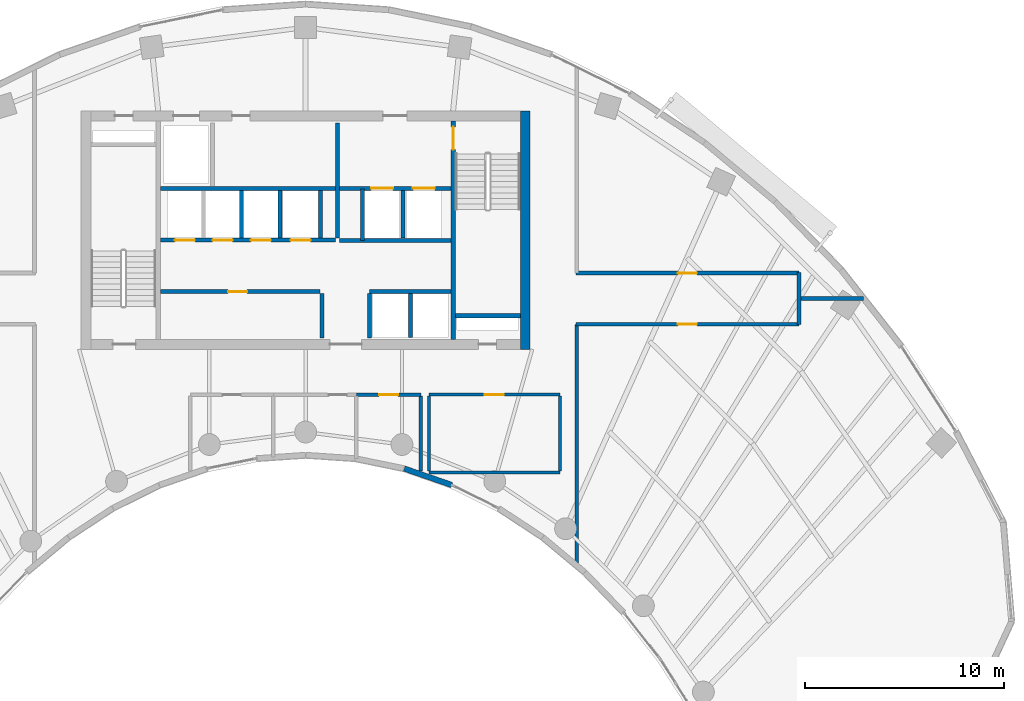
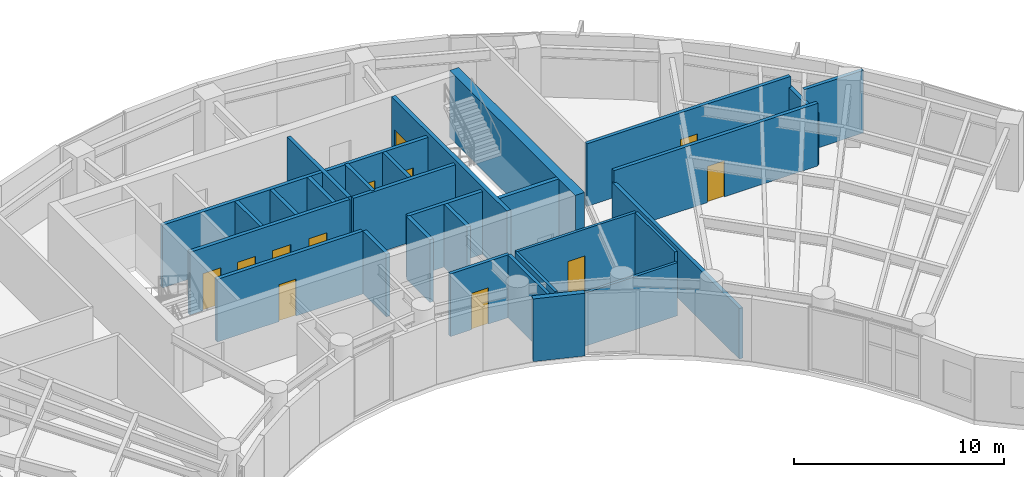
# One storey, part 9 of 13: 30 walls, 12 doors, 12 openings.
"""IFC4 building model written with IfcOpenShell, lengths in metres."""

from ifc_helpers import new_model, si_unit, direction, frame, frame_2d, origin, place, context, subcontext, project, spatial, rectangle, extrude, source, transform, mapped, material, layer, layer_set, type_object, type_shapes, element, fill, save


model = new_model("IFC4")

# Units and contexts
model_context = context("Model", 3, precision=1e-05, world=origin(), true_north=direction((0.0, 1.0)))
body_context = subcontext(model_context, "Body", "Model", "MODEL_VIEW")
ifc_project = project(units=[si_unit("LENGTHUNIT", "METRE"), si_unit("AREAUNIT", "SQUARE_METRE"), si_unit("VOLUMEUNIT", "CUBIC_METRE"), si_unit("PLANEANGLEUNIT", "RADIAN"), si_unit("MASSUNIT", "GRAM", prefix="KILO")], contexts=[model_context])

# Site, building, storey
site_placement = place(None, origin())
site = spatial("IfcSite", under=ifc_project, at=site_placement, CompositionType="ELEMENT")
building_placement = place(site_placement, origin())
building = spatial("IfcBuilding", under=site, at=building_placement, Name="Breltana Convention Tower", CompositionType="ELEMENT")
storey_placement = place(building_placement, frame((0.0, 0.0, 162.300048828125)))
storey = spatial("IfcBuildingStorey", under=building, at=storey_placement, Name="L39", CompositionType="ELEMENT", Elevation=162.300048828125)

# Walls
ifc_material_1 = material(Name="Concrete C60/75", Category="concrete")
ifc_layer_1 = layer(ifc_material_1, 0.5, Name="Concrete C60/75")
ifc_layer_set_1 = layer_set([ifc_layer_1], Name="Concrete C60/75")
wall_type_1 = type_object("IfcWallType", Name="SW-CORE-500", PredefinedType="SHEAR", material=ifc_layer_set_1)
shared_shape_1 = source(origin(), body_context, "Body", "SweptSolid", [
    extrude(rectangle(XDim=12.0, YDim=0.5, at=frame_2d((6.0, 0.0))), origin(), (0.0, 0.0, 1.0), 3.89990234375),
])
wall_1_placement = place(storey_placement, frame((59.050048828125, 60.199951171875, 0.0), z_axis=(0.0, 0.0, 1.0), x_axis=(0.0, 1.0, 0.0)))
element("IfcWall", 1, at=wall_1_placement, inside=storey, type_object=wall_type_1, Name="L39 East Core Shear Wall", PredefinedType="SHEAR", context=body_context, shape_type="MappedRepresentation", body=[
    mapped(shared_shape_1, transform((0.0, 0.0, 0.0), scale=1.0)),
])
ifc_material_2 = material(Name="Concrete C50/60", Category="concrete")
ifc_layer_2 = layer(ifc_material_2, 0.39990234375, Name="Concrete C50/60")
ifc_layer_set_2 = layer_set([ifc_layer_2], Name="Concrete C50/60")
wall_type_2 = type_object("IfcWallType", Name="SW-CORE-400", PredefinedType="SHEAR", material=ifc_layer_set_2)
shared_shape_2 = source(origin(), body_context, "Body", "SweptSolid", [
    extrude(rectangle(XDim=3.27001953125, YDim=0.219970703125, at=frame_2d((1.635009765625, 0.0))), origin(), (0.0, 0.0, 1.0), 3.89990234375),
])
wall_2_placement = place(storey_placement, frame((55.530029296875, 61.889892578125, 0.0), z_axis=(0.0, 0.0, 1.0), x_axis=(1.0, 0.0, 0.0)))
element("IfcWall", 2, at=wall_2_placement, inside=storey, type_object=wall_type_2, Name="L39 ST-2 Stairwell South Bearing Wall", PredefinedType="SHEAR", context=body_context, shape_type="MappedRepresentation", body=[
    mapped(shared_shape_2, transform((0.0, 0.0, 0.0), scale=1.0)),
])

# Wall, opening, door
shared_shape_3 = source(origin(), body_context, "Body", "SweptSolid", [
    extrude(rectangle(XDim=11.0, YDim=0.219970703125, at=frame_2d((5.5, 0.0))), origin(), (0.0, 0.0, 1.0), 3.89990234375),
])
wall_3_placement = place(storey_placement, frame((55.419921875, 60.699951171875, 0.0), z_axis=(0.0, 0.0, 1.0), x_axis=(0.0, 1.0, 0.0)))
wall_3 = element("IfcWall", 3, at=wall_3_placement, inside=storey, type_object=wall_type_2, Name="L39 Core East Stair Spine Wall", PredefinedType="SHEAR", context=body_context, shape_type="MappedRepresentation", body=[
    mapped(shared_shape_3, transform((0.0, 0.0, 0.0), scale=1.0)),
])
opening_1_placement = place(wall_3_placement, frame((9.544921875, 0.0, 0.0)))
opening_1 = element("IfcOpeningElement", 4, at=opening_1_placement, cuts=wall_3, Name="Opening D-11", PredefinedType="OPENING", context=body_context, shape_type="SweptSolid", body=[
    extrude(rectangle(XDim=1.14990234375, YDim=2.14990234375, at=frame_2d((0.574951171875, 1.074951171875))), frame((0.0, 0.1201171875, 0.0), z_axis=(0.0, -1.0, 0.0), x_axis=(1.0, 0.0, 0.0)), (0.0, 0.0, 1.0), 0.239990234375),
])
ifc_material_3 = material(Name="Steel Stair Exit Door", Category="steel")
door_type_1 = type_object("IfcDoorType", Name="DR-FD120-1150", OperationType="NOTDEFINED", PredefinedType="DOOR", material=ifc_material_3)
shared_shape_4 = source(origin(), body_context, "Body", "SweptSolid", [
    extrude(rectangle(XDim=1.14990234375, YDim=2.14990234375, at=frame_2d((0.574951171875, 1.074951171875))), frame((0.0, 0.02490234375, 0.0), z_axis=(0.0, -1.0, 0.0), x_axis=(1.0, 0.0, 0.0)), (0.0, 0.0, 1.0), 0.050048828125),
])
type_shapes(door_type_1, [shared_shape_4])
door_1_placement = place(opening_1_placement, origin())
door_1 = element("IfcDoor", 5, at=door_1_placement, inside=storey, type_object=door_type_1, Name="L39 interior door D-L39-ST2", OperationType="SINGLE_SWING_LEFT", OverallHeight=2.14990234375, OverallWidth=1.14990234375, PredefinedType="DOOR", context=body_context, shape_type="MappedRepresentation", body=[
    mapped(shared_shape_4, transform((0.0, 0.0, 0.0), scale=1.0)),
])
fill(opening_1, door_1)

# Walls
ifc_material_4 = material(Name="Limestone Buff Insulated Wall", Category="masonry")
ifc_layer_3 = layer(ifc_material_4, 0.280029296875, Name="Limestone Buff Insulated Wall")
ifc_layer_set_3 = layer_set([ifc_layer_3], Name="Limestone Buff Insulated Wall")
wall_type_3 = type_object("IfcWallType", Name="WL-EXT-NOSE-280", PredefinedType="SOLIDWALL", material=ifc_layer_set_3)
shared_shape_5 = source(origin(), body_context, "Body", "SweptSolid", [
    extrude(rectangle(XDim=2.52978515625, YDim=0.280029296875, at=frame_2d((1.264892578125, 0.0))), origin(), (0.0, 0.0, 1.0), 3.64990234375),
])
wall_4_placement = place(storey_placement, frame((55.35546875, 53.369873046875, 0.0), z_axis=(0.0, 0.0, 1.0), x_axis=(-0.944872429646, 0.327438683872, 0.0)))
element("IfcWall", 6, at=wall_4_placement, inside=storey, type_object=wall_type_3, Name="L39 curved limestone nose wall E10", PredefinedType="SOLIDWALL", context=body_context, shape_type="MappedRepresentation", body=[
    mapped(shared_shape_5, transform((0.0, 0.0, 0.0), scale=1.0)),
])
ifc_material_5 = material(Name="Autoclaved Aerated Concrete Block", Category="concrete")
ifc_layer_4 = layer(ifc_material_5, 0.199951171875, Name="Autoclaved Aerated Concrete Block")
ifc_layer_set_4 = layer_set([ifc_layer_4], Name="Autoclaved Aerated Concrete Block")
wall_type_4 = type_object("IfcWallType", Name="WL-SHAFT-200", PredefinedType="SOLIDWALL", material=ifc_layer_set_4)
shared_shape_6 = source(origin(), body_context, "Body", "SweptSolid", [
    extrude(rectangle(XDim=2.239990234375, YDim=0.199951171875, at=frame_2d((1.1201171875, 0.0))), origin(), (0.0, 0.0, 1.0), 3.64990234375),
])
for number, where, z_axis, x_axis, name in (
    (7, (48.820068359375, 60.780029296875, 0.0), (0.0, 0.0, 1.0), (0.0, 1.0, 0.0), "L39 interior partition W-L39-PORT-W"),
    (8, (51.219970703125, 60.780029296875, 0.0), (0.0, 0.0, 1.0), (0.0, 1.0, 0.0), "L39 interior partition W-L39-PORT-E"),
):
    element("IfcWall", number, at=place(storey_placement, frame(where, z_axis=z_axis, x_axis=x_axis)), inside=storey, type_object=wall_type_4, Name=name, PredefinedType="SOLIDWALL", context=body_context, shape_type="MappedRepresentation", body=[
        mapped(shared_shape_6, transform((0.0, 0.0, 0.0), scale=1.0)),
    ])

# Wall, openings, doors
shared_shape_7 = source(origin(), body_context, "Body", "SweptSolid", [
    extrude(rectangle(XDim=5.6201171875, YDim=0.199951171875, at=frame_2d((2.81005859375, 0.0))), origin(), (0.0, 0.0, 1.0), 3.64990234375),
])
wall_5_placement = place(storey_placement, frame((49.699951171875, 68.300048828125, 0.0), z_axis=(0.0, 0.0, 1.0), x_axis=(1.0, 0.0, 0.0)))
wall_5 = element("IfcWall", 9, at=wall_5_placement, inside=storey, type_object=wall_type_4, Name="L39 interior partition W-L39-FFL-S", PredefinedType="SOLIDWALL", context=body_context, shape_type="MappedRepresentation", body=[
    mapped(shared_shape_7, transform((0.0, 0.0, 0.0), scale=1.0)),
])
opening_2_placement = place(wall_5_placement, frame((1.60009765625, 0.0, 0.0)))
opening_2 = element("IfcOpeningElement", 10, at=opening_2_placement, cuts=wall_5, Name="Opening LD-03", PredefinedType="OPENING", context=body_context, shape_type="SweptSolid", body=[
    extrude(rectangle(XDim=1.10009765625, YDim=2.14990234375, at=frame_2d((0.550048828125, 1.074951171875))), frame((0.0, 0.10986328125, 0.0), z_axis=(0.0, -1.0, 0.0), x_axis=(1.0, 0.0, 0.0)), (0.0, 0.0, 1.0), 0.219970703125),
])
opening_3_placement = place(wall_5_placement, frame((3.699951171875, 0.0, 0.0)))
opening_3 = element("IfcOpeningElement", 11, at=opening_3_placement, cuts=wall_5, Name="Opening LD-03", PredefinedType="OPENING", context=body_context, shape_type="SweptSolid", body=[
    extrude(rectangle(XDim=1.10009765625, YDim=2.14990234375, at=frame_2d((0.550048828125, 1.074951171875))), frame((0.0, 0.10986328125, 0.0), z_axis=(0.0, -1.0, 0.0), x_axis=(1.0, 0.0, 0.0)), (0.0, 0.0, 1.0), 0.219970703125),
])
ifc_material_6 = material(Name="Stainless Steel Brushed", Category="steel")
door_type_2 = type_object("IfcDoorType", Name="DR-LD-FF-1100", OperationType="DOUBLE_DOOR_SLIDING", PredefinedType="DOOR", material=ifc_material_6)
shared_shape_8 = source(origin(), body_context, "Body", "SweptSolid", [
    extrude(rectangle(XDim=1.10009765625, YDim=2.14990234375, at=frame_2d((0.550048828125, 1.074951171875))), frame((0.0, 0.02490234375, 0.0), z_axis=(0.0, -1.0, 0.0), x_axis=(1.0, 0.0, 0.0)), (0.0, 0.0, 1.0), 0.050048828125),
])
type_shapes(door_type_2, [shared_shape_8])
door_2_placement = place(opening_2_placement, origin())
door_2 = element("IfcDoor", 12, at=door_2_placement, inside=storey, type_object=door_type_2, Name="L39 Lift Landing Door D-L39-LD-FL1", OperationType="DOUBLE_DOOR_SLIDING", OverallHeight=2.14990234375, OverallWidth=1.10009765625, PredefinedType="DOOR", context=body_context, shape_type="MappedRepresentation", body=[
    mapped(shared_shape_8, transform((0.0, 0.0, 0.0), scale=1.0)),
])
fill(opening_2, door_2)
door_3_placement = place(opening_3_placement, origin())
door_3 = element("IfcDoor", 13, at=door_3_placement, inside=storey, type_object=door_type_2, Name="L39 Lift Landing Door D-L39-LD-FL2", OperationType="DOUBLE_DOOR_SLIDING", OverallHeight=2.14990234375, OverallWidth=1.10009765625, PredefinedType="DOOR", context=body_context, shape_type="MappedRepresentation", body=[
    mapped(shared_shape_8, transform((0.0, 0.0, 0.0), scale=1.0)),
])
fill(opening_3, door_3)

# Walls
wall_6_placement = place(storey_placement, frame((49.699951171875, 65.679931640625, 0.0), z_axis=(0.0, 0.0, 1.0), x_axis=(1.0, 0.0, 0.0)))
element("IfcWall", 14, at=wall_6_placement, inside=storey, type_object=wall_type_4, Name="L39 interior partition W-L39-FL-S", PredefinedType="SOLIDWALL", context=body_context, shape_type="MappedRepresentation", body=[
    mapped(shared_shape_7, transform((0.0, 0.0, 0.0), scale=1.0)),
])
shared_shape_9 = source(origin(), body_context, "Body", "SweptSolid", [
    extrude(rectangle(XDim=5.800048828125, YDim=0.199951171875, at=frame_2d((2.89990234375, 0.0))), origin(), (0.0, 0.0, 1.0), 3.64990234375),
])
wall_7_placement = place(storey_placement, frame((49.60009765625, 65.800048828125, 0.0), z_axis=(0.0, 0.0, 1.0), x_axis=(0.0, 1.0, 0.0)))
element("IfcWall", 15, at=wall_7_placement, inside=storey, type_object=wall_type_4, Name="L39 interior partition W-L39-FFL-W", PredefinedType="SOLIDWALL", context=body_context, shape_type="MappedRepresentation", body=[
    mapped(shared_shape_9, transform((0.0, 0.0, 0.0), scale=1.0)),
])
shared_shape_10 = source(origin(), body_context, "Body", "SweptSolid", [
    extrude(rectangle(XDim=2.580078125, YDim=0.199951171875, at=frame_2d((1.2900390625, 0.0))), origin(), (0.0, 0.0, 1.0), 3.64990234375),
])
wall_8_placement = place(storey_placement, frame((50.85009765625, 65.679931640625, 0.0), z_axis=(0.0, 0.0, 1.0), x_axis=(0.0, 1.0, 0.0)))
element("IfcWall", 16, at=wall_8_placement, inside=storey, type_object=wall_type_4, Name="L39 interior partition W-L39-FL-W", PredefinedType="SOLIDWALL", context=body_context, shape_type="MappedRepresentation", body=[
    mapped(shared_shape_10, transform((0.0, 0.0, 0.0), scale=1.0)),
])
shared_shape_11 = source(origin(), body_context, "Body", "SweptSolid", [
    extrude(rectangle(XDim=2.39990234375, YDim=0.199951171875, at=frame_2d((1.199951171875, 0.0))), origin(), (0.0, 0.0, 1.0), 3.64990234375),
])
for number, where, z_axis, x_axis, name in (
    (17, (52.89990234375, 65.800048828125, 0.0), (0.0, 0.0, 1.0), (0.0, 1.0, 0.0), "L39 interior partition W-L39-FL-DIV"),
    (18, (48.75, 65.800048828125, 0.0), (0.0, 0.0, 1.0), (0.0, 1.0, 0.0), "L39 interior partition W-L39-SH-M-END"),
    (19, (44.77001953125, 65.800048828125, 0.0), (0.0, 0.0, 1.0), (0.0, 1.0, 0.0), "L39 interior partition W-L39-SH-M-DIV2"),
    (20, (46.699951171875, 65.800048828125, 0.0), (0.0, 0.0, 1.0), (0.0, 1.0, 0.0), "L39 interior partition W-L39-SH-M-DIV3"),
):
    element("IfcWall", number, at=place(storey_placement, frame(where, z_axis=z_axis, x_axis=x_axis)), inside=storey, type_object=wall_type_4, Name=name, PredefinedType="SOLIDWALL", context=body_context, shape_type="MappedRepresentation", body=[
        mapped(shared_shape_11, transform((0.0, 0.0, 0.0), scale=1.0)),
    ])
shared_shape_12 = source(origin(), body_context, "Body", "SweptSolid", [
    extrude(rectangle(XDim=8.800048828125, YDim=0.199951171875, at=frame_2d((4.39990234375, 0.0))), origin(), (0.0, 0.0, 1.0), 3.64990234375),
])
wall_9_placement = place(storey_placement, frame((40.699951171875, 68.300048828125, 0.0), z_axis=(0.0, 0.0, 1.0), x_axis=(1.0, 0.0, 0.0)))
element("IfcWall", 21, at=wall_9_placement, inside=storey, type_object=wall_type_4, Name="L39 interior partition W-L39-SV-S", PredefinedType="SOLIDWALL", context=body_context, shape_type="MappedRepresentation", body=[
    mapped(shared_shape_12, transform((0.0, 0.0, 0.0), scale=1.0)),
])

# Wall, openings, doors
wall_10_placement = place(storey_placement, frame((40.699951171875, 65.699951171875, 0.0), z_axis=(0.0, 0.0, 1.0), x_axis=(1.0, 0.0, 0.0)))
wall_10 = element("IfcWall", 22, at=wall_10_placement, inside=storey, type_object=wall_type_4, Name="L39 interior partition W-L39-SH-M-FRONT", PredefinedType="SOLIDWALL", context=body_context, shape_type="MappedRepresentation", body=[
    mapped(shared_shape_12, transform((0.0, 0.0, 0.0), scale=1.0)),
])
opening_4_placement = place(wall_10_placement, frame((0.719970703125, 0.0, 0.0)))
opening_4 = element("IfcOpeningElement", 23, at=opening_4_placement, cuts=wall_10, Name="Opening LD-04", PredefinedType="OPENING", context=body_context, shape_type="SweptSolid", body=[
    extrude(rectangle(XDim=1.0, YDim=2.14990234375, at=frame_2d((0.5, 1.074951171875))), frame((0.0, 0.10986328125, 0.0), z_axis=(0.0, -1.0, 0.0), x_axis=(1.0, 0.0, 0.0)), (0.0, 0.0, 1.0), 0.219970703125),
])
opening_5_placement = place(wall_10_placement, frame((2.6201171875, 0.0, 0.0)))
opening_5 = element("IfcOpeningElement", 24, at=opening_5_placement, cuts=wall_10, Name="Opening LD-04", PredefinedType="OPENING", context=body_context, shape_type="SweptSolid", body=[
    extrude(rectangle(XDim=1.0, YDim=2.14990234375, at=frame_2d((0.5, 1.074951171875))), frame((0.0, 0.10986328125, 0.0), z_axis=(0.0, -1.0, 0.0), x_axis=(1.0, 0.0, 0.0)), (0.0, 0.0, 1.0), 0.219970703125),
])
opening_6_placement = place(wall_10_placement, frame((4.550048828125, 0.0, 0.0)))
opening_6 = element("IfcOpeningElement", 25, at=opening_6_placement, cuts=wall_10, Name="Opening LD-04", PredefinedType="OPENING", context=body_context, shape_type="SweptSolid", body=[
    extrude(rectangle(XDim=1.0, YDim=2.14990234375, at=frame_2d((0.5, 1.074951171875))), frame((0.0, 0.10986328125, 0.0), z_axis=(0.0, -1.0, 0.0), x_axis=(1.0, 0.0, 0.0)), (0.0, 0.0, 1.0), 0.219970703125),
])
opening_7_placement = place(wall_10_placement, frame((6.550048828125, 0.0, 0.0)))
opening_7 = element("IfcOpeningElement", 26, at=opening_7_placement, cuts=wall_10, Name="Opening LD-04", PredefinedType="OPENING", context=body_context, shape_type="SweptSolid", body=[
    extrude(rectangle(XDim=1.0, YDim=2.14990234375, at=frame_2d((0.5, 1.074951171875))), frame((0.0, 0.10986328125, 0.0), z_axis=(0.0, -1.0, 0.0), x_axis=(1.0, 0.0, 0.0)), (0.0, 0.0, 1.0), 0.219970703125),
])
door_type_3 = type_object("IfcDoorType", Name="DR-LD-PAX-1000", OperationType="DOUBLE_DOOR_SLIDING", PredefinedType="DOOR", material=ifc_material_6)
shared_shape_13 = source(origin(), body_context, "Body", "SweptSolid", [
    extrude(rectangle(XDim=1.0, YDim=2.14990234375, at=frame_2d((0.5, 1.074951171875))), frame((0.0, 0.02490234375, 0.0), z_axis=(0.0, -1.0, 0.0), x_axis=(1.0, 0.0, 0.0)), (0.0, 0.0, 1.0), 0.050048828125),
])
type_shapes(door_type_3, [shared_shape_13])
door_4_placement = place(opening_4_placement, origin())
door_4 = element("IfcDoor", 27, at=door_4_placement, inside=storey, type_object=door_type_3, Name="L39 Lift Landing Door D-L39-LD-M1", OperationType="DOUBLE_DOOR_SLIDING", OverallHeight=2.14990234375, OverallWidth=1.0, PredefinedType="DOOR", context=body_context, shape_type="MappedRepresentation", body=[
    mapped(shared_shape_13, transform((0.0, 0.0, 0.0), scale=1.0)),
])
fill(opening_4, door_4)
door_5_placement = place(opening_5_placement, origin())
door_5 = element("IfcDoor", 28, at=door_5_placement, inside=storey, type_object=door_type_3, Name="L39 Lift Landing Door D-L39-LD-M2", OperationType="DOUBLE_DOOR_SLIDING", OverallHeight=2.14990234375, OverallWidth=1.0, PredefinedType="DOOR", context=body_context, shape_type="MappedRepresentation", body=[
    mapped(shared_shape_13, transform((0.0, 0.0, 0.0), scale=1.0)),
])
fill(opening_5, door_5)
door_6_placement = place(opening_6_placement, origin())
door_6 = element("IfcDoor", 29, at=door_6_placement, inside=storey, type_object=door_type_3, Name="L39 Lift Landing Door D-L39-LD-M3", OperationType="DOUBLE_DOOR_SLIDING", OverallHeight=2.14990234375, OverallWidth=1.0, PredefinedType="DOOR", context=body_context, shape_type="MappedRepresentation", body=[
    mapped(shared_shape_13, transform((0.0, 0.0, 0.0), scale=1.0)),
])
fill(opening_6, door_6)
door_7_placement = place(opening_7_placement, origin())
door_7 = element("IfcDoor", 30, at=door_7_placement, inside=storey, type_object=door_type_3, Name="L39 Lift Landing Door D-L39-LD-M4", OperationType="DOUBLE_DOOR_SLIDING", OverallHeight=2.14990234375, OverallWidth=1.0, PredefinedType="DOOR", context=body_context, shape_type="MappedRepresentation", body=[
    mapped(shared_shape_13, transform((0.0, 0.0, 0.0), scale=1.0)),
])
fill(opening_7, door_7)

# Wall, opening, door
shared_shape_14 = source(origin(), body_context, "Body", "SweptSolid", [
    extrude(rectangle(XDim=8.02001953125, YDim=0.199951171875, at=frame_2d((4.010009765625, 0.0))), origin(), (0.0, 0.0, 1.0), 3.64990234375),
])
wall_11_placement = place(storey_placement, frame((40.699951171875, 63.10009765625, 0.0), z_axis=(0.0, 0.0, 1.0), x_axis=(1.0, 0.0, 0.0)))
wall_11 = element("IfcWall", 31, at=wall_11_placement, inside=storey, type_object=wall_type_4, Name="L39 interior partition W-L39-SH-S-FRONT", PredefinedType="SOLIDWALL", context=body_context, shape_type="MappedRepresentation", body=[
    mapped(shared_shape_14, transform((0.0, 0.0, 0.0), scale=1.0)),
])
opening_8_placement = place(wall_11_placement, frame((3.39990234375, 0.0, 0.0)))
opening_8 = element("IfcOpeningElement", 32, at=opening_8_placement, cuts=wall_11, Name="Opening D-14", PredefinedType="OPENING", context=body_context, shape_type="SweptSolid", body=[
    extrude(rectangle(XDim=0.949951171875, YDim=2.14990234375, at=frame_2d((0.47509765625, 1.074951171875))), frame((0.0, 0.10986328125, 0.0), z_axis=(0.0, -1.0, 0.0), x_axis=(1.0, 0.0, 0.0)), (0.0, 0.0, 1.0), 0.219970703125),
])
ifc_material_7 = material(Name="Timber Solid-Core Fire Door", Category="wood")
door_type_4 = type_object("IfcDoorType", Name="DR-FD60-950", OperationType="NOTDEFINED", PredefinedType="DOOR", material=ifc_material_7)
shared_shape_15 = source(origin(), body_context, "Body", "SweptSolid", [
    extrude(rectangle(XDim=0.949951171875, YDim=2.14990234375, at=frame_2d((0.47509765625, 1.074951171875))), frame((0.0, 0.02490234375, 0.0), z_axis=(0.0, -1.0, 0.0), x_axis=(1.0, 0.0, 0.0)), (0.0, 0.0, 1.0), 0.050048828125),
])
type_shapes(door_type_4, [shared_shape_15])
door_8_placement = place(opening_8_placement, origin())
door_8 = element("IfcDoor", 33, at=door_8_placement, inside=storey, type_object=door_type_4, Name="L39 interior door D-L39-LV7-B1A", OperationType="SINGLE_SWING_RIGHT", OverallHeight=2.14990234375, OverallWidth=0.949951171875, PredefinedType="DOOR", context=body_context, shape_type="MappedRepresentation", body=[
    mapped(shared_shape_15, transform((0.0, 0.0, 0.0), scale=1.0)),
])
fill(opening_8, door_8)

# Walls
shared_shape_16 = source(origin(), body_context, "Body", "SweptSolid", [
    extrude(rectangle(XDim=4.10009765625, YDim=0.199951171875, at=frame_2d((2.050048828125, 0.0))), origin(), (0.0, 0.0, 1.0), 3.64990234375),
])
wall_12_placement = place(storey_placement, frame((51.219970703125, 63.10009765625, 0.0), z_axis=(0.0, 0.0, 1.0), x_axis=(1.0, 0.0, 0.0)))
element("IfcWall", 34, at=wall_12_placement, inside=storey, type_object=wall_type_4, Name="L39 interior partition W-L39-SH-X-FRONT", PredefinedType="SOLIDWALL", context=body_context, shape_type="MappedRepresentation", body=[
    mapped(shared_shape_16, transform((0.0, 0.0, 0.0), scale=1.0)),
])
shared_shape_17 = source(origin(), body_context, "Body", "SweptSolid", [
    extrude(rectangle(XDim=2.199951171875, YDim=0.199951171875, at=frame_2d((1.10009765625, 0.0))), origin(), (0.0, 0.0, 1.0), 3.64990234375),
])
wall_13_placement = place(storey_placement, frame((53.280029296875, 60.800048828125, 0.0), z_axis=(0.0, 0.0, 1.0), x_axis=(0.0, 1.0, 0.0)))
element("IfcWall", 35, at=wall_13_placement, inside=storey, type_object=wall_type_4, Name="L39 interior partition W-L39-SH-X-DIV", PredefinedType="SOLIDWALL", context=body_context, shape_type="MappedRepresentation", body=[
    mapped(shared_shape_17, transform((0.0, 0.0, 0.0), scale=1.0)),
])
ifc_material_8 = material(Name="Cement Board Wet-Area Partition")
ifc_layer_5 = layer(ifc_material_8, 0.175048828125, Name="Cement Board Wet-Area Partition")
ifc_layer_set_5 = layer_set([ifc_layer_5], Name="Cement Board Wet-Area Partition")
wall_type_5 = type_object("IfcWallType", Name="WL-WET-175", PredefinedType="PARTITIONING", material=ifc_layer_set_5)
shared_shape_18 = source(origin(), body_context, "Body", "SweptSolid", [
    extrude(rectangle(XDim=3.7626953125, YDim=0.175048828125, at=frame_2d((1.88134765625, 0.0))), origin(), (0.0, 0.0, 1.0), 3.64990234375),
])
wall_14_placement = place(storey_placement, frame((53.800048828125, 54.07861328125, 0.0), z_axis=(0.0, 0.0, 1.0), x_axis=(0.0, 1.0, 0.0)))
element("IfcWall", 36, at=wall_14_placement, inside=storey, type_object=wall_type_5, Name="L39 interior partition W-L39-WCA-E", PredefinedType="PARTITIONING", context=body_context, shape_type="MappedRepresentation", body=[
    mapped(shared_shape_18, transform((0.0, 0.0, 0.0), scale=1.0)),
])

# Wall, opening, door
ifc_material_9 = material(Name="Moisture-Resistant Gypsum Chase Wall")
ifc_layer_6 = layer(ifc_material_9, 0.179931640625, Name="Moisture-Resistant Gypsum Chase Wall")
ifc_layer_set_6 = layer_set([ifc_layer_6], Name="Moisture-Resistant Gypsum Chase Wall")
wall_type_6 = type_object("IfcWallType", Name="WL-PLUMB-180", PredefinedType="PLUMBINGWALL", material=ifc_layer_set_6)
shared_shape_19 = source(origin(), body_context, "Body", "SweptSolid", [
    extrude(rectangle(XDim=3.248046875, YDim=0.179931640625, at=frame_2d((1.6240234375, 0.0))), origin(), (0.0, 0.0, 1.0), 3.64990234375),
])
wall_15_placement = place(storey_placement, frame((50.552001953125, 57.919921875, 0.0), z_axis=(0.0, 0.0, 1.0), x_axis=(1.0, 0.0, 0.0)))
wall_15 = element("IfcWall", 37, at=wall_15_placement, inside=storey, type_object=wall_type_6, Name="L39 interior partition W-L39-WCA-N", PredefinedType="PLUMBINGWALL", context=body_context, shape_type="MappedRepresentation", body=[
    mapped(shared_shape_19, transform((0.0, 0.0, 0.0), scale=1.0)),
])
opening_9_placement = place(wall_15_placement, frame((1.14892578125, 0.0, 0.0)))
opening_9 = element("IfcOpeningElement", 38, at=opening_9_placement, cuts=wall_15, Name="Opening D-16", PredefinedType="OPENING", context=body_context, shape_type="SweptSolid", body=[
    extrude(rectangle(XDim=0.949951171875, YDim=2.1201171875, at=frame_2d((0.47509765625, 1.06005859375))), frame((0.0, 0.10009765625, 0.0), z_axis=(0.0, -1.0, 0.0), x_axis=(1.0, 0.0, 0.0)), (0.0, 0.0, 1.0), 0.199951171875),
])
ifc_material_10 = material(Name="Timber Laminate Accessible Door", Category="wood")
door_type_5 = type_object("IfcDoorType", Name="DR-ACC-950", OperationType="NOTDEFINED", PredefinedType="DOOR", material=ifc_material_10)
shared_shape_20 = source(origin(), body_context, "Body", "SweptSolid", [
    extrude(rectangle(XDim=0.949951171875, YDim=2.1201171875, at=frame_2d((0.47509765625, 1.06005859375))), frame((0.0, 0.02490234375, 0.0), z_axis=(0.0, -1.0, 0.0), x_axis=(1.0, 0.0, 0.0)), (0.0, 0.0, 1.0), 0.050048828125),
])
type_shapes(door_type_5, [shared_shape_20])
door_9_placement = place(opening_9_placement, origin())
door_9 = element("IfcDoor", 39, at=door_9_placement, inside=storey, type_object=door_type_5, Name="L39 interior door D-L39-WCA", OperationType="SINGLE_SWING_LEFT", OverallHeight=2.1201171875, OverallWidth=0.949951171875, PredefinedType="DOOR", context=body_context, shape_type="MappedRepresentation", body=[
    mapped(shared_shape_20, transform((0.0, 0.0, 0.0), scale=1.0)),
])
fill(opening_9, door_9)

# Wall
ifc_material_11 = material(Name="Gypsum Acoustic Drywall Partition")
ifc_layer_7 = layer(ifc_material_11, 0.14990234375, Name="Gypsum Acoustic Drywall Partition")
ifc_layer_set_7 = layer_set([ifc_layer_7], Name="Gypsum Acoustic Drywall Partition")
wall_type_7 = type_object("IfcWallType", Name="WL-PART-150", PredefinedType="PARTITIONING", material=ifc_layer_set_7)
shared_shape_21 = source(origin(), body_context, "Body", "SweptSolid", [
    extrude(rectangle(XDim=6.60009765625, YDim=0.14990234375, at=frame_2d((3.300048828125, 0.0))), origin(), (0.0, 0.0, 1.0), 3.094970703125),
])
wall_16_placement = place(storey_placement, frame((54.199951171875, 54.0, 0.0), z_axis=(0.0, 0.0, 1.0), x_axis=(1.0, 0.0, 0.0)))
element("IfcWall", 40, at=wall_16_placement, inside=storey, type_object=wall_type_7, Name="L39 interior partition W-L39-PNT-S", PredefinedType="PARTITIONING", context=body_context, shape_type="MappedRepresentation", body=[
    mapped(shared_shape_21, transform((0.0, 0.0, 0.0), scale=1.0)),
])

# Wall, opening, door
shared_shape_22 = source(origin(), body_context, "Body", "SweptSolid", [
    extrude(rectangle(XDim=6.60009765625, YDim=0.14990234375, at=frame_2d((3.300048828125, 0.0))), origin(), (0.0, 0.0, 1.0), 3.64990234375),
])
wall_17_placement = place(storey_placement, frame((54.199951171875, 57.919921875, 0.0), z_axis=(0.0, 0.0, 1.0), x_axis=(1.0, 0.0, 0.0)))
wall_17 = element("IfcWall", 41, at=wall_17_placement, inside=storey, type_object=wall_type_7, Name="L39 interior partition W-L39-PNT-N", PredefinedType="PARTITIONING", context=body_context, shape_type="MappedRepresentation", body=[
    mapped(shared_shape_22, transform((0.0, 0.0, 0.0), scale=1.0)),
])
opening_10_placement = place(wall_17_placement, frame((2.824951171875, 0.0, 0.0)))
opening_10 = element("IfcOpeningElement", 42, at=opening_10_placement, cuts=wall_17, Name="Opening D-17", PredefinedType="OPENING", context=body_context, shape_type="SweptSolid", body=[
    extrude(rectangle(XDim=0.949951171875, YDim=2.10009765625, at=frame_2d((0.47509765625, 1.050048828125))), frame((0.0, 0.0849609375, 0.0), z_axis=(0.0, -1.0, 0.0), x_axis=(1.0, 0.0, 0.0)), (0.0, 0.0, 1.0), 0.169921875),
])
ifc_material_12 = material(Name="Timber Oak Veneer Door", Category="wood")
door_type_6 = type_object("IfcDoorType", Name="DR-INT-950", OperationType="NOTDEFINED", PredefinedType="DOOR", material=ifc_material_12)
shared_shape_23 = source(origin(), body_context, "Body", "SweptSolid", [
    extrude(rectangle(XDim=0.949951171875, YDim=2.10009765625, at=frame_2d((0.47509765625, 1.050048828125))), frame((0.0, 0.02490234375, 0.0), z_axis=(0.0, -1.0, 0.0), x_axis=(1.0, 0.0, 0.0)), (0.0, 0.0, 1.0), 0.050048828125),
])
type_shapes(door_type_6, [shared_shape_23])
door_10_placement = place(opening_10_placement, origin())
door_10 = element("IfcDoor", 43, at=door_10_placement, inside=storey, type_object=door_type_6, Name="L39 interior door D-L39-PNT", OperationType="SINGLE_SWING_RIGHT", OverallHeight=2.10009765625, OverallWidth=0.949951171875, PredefinedType="DOOR", context=body_context, shape_type="MappedRepresentation", body=[
    mapped(shared_shape_23, transform((0.0, 0.0, 0.0), scale=1.0)),
])
fill(opening_10, door_10)

# Walls
shared_shape_24 = source(origin(), body_context, "Body", "SweptSolid", [
    extrude(rectangle(XDim=3.78515625, YDim=0.14990234375, at=frame_2d((1.892578125, 0.0))), origin(), (0.0, 0.0, 1.0), 3.64990234375),
])
for number, where, z_axis, x_axis, name in (
    (44, (54.199951171875, 54.0673828125, 0.0), (0.0, 0.0, 1.0), (0.0, 1.0, 0.0), "L39 interior partition W-L39-PNT-W"),
    (45, (60.800048828125, 54.0673828125, 0.0), (0.0, 0.0, 1.0), (0.0, 1.0, 0.0), "L39 interior partition W-L39-PNT-E"),
):
    element("IfcWall", number, at=place(storey_placement, frame(where, z_axis=z_axis, x_axis=x_axis)), inside=storey, type_object=wall_type_7, Name=name, PredefinedType="PARTITIONING", context=body_context, shape_type="MappedRepresentation", body=[
        mapped(shared_shape_24, transform((0.0, 0.0, 0.0), scale=1.0)),
    ])

# Wall, opening, door
ifc_material_13 = material(Name="Gypsum Acoustic Hotel Wall")
ifc_layer_8 = layer(ifc_material_13, 0.195068359375, Name="Gypsum Acoustic Hotel Wall")
ifc_layer_set_8 = layer_set([ifc_layer_8], Name="Gypsum Acoustic Hotel Wall")
wall_type_8 = type_object("IfcWallType", Name="WL-HOTEL-200", PredefinedType="PARTITIONING", material=ifc_layer_set_8)
shared_shape_25 = source(origin(), body_context, "Body", "SweptSolid", [
    extrude(rectangle(XDim=11.219970703125, YDim=0.195068359375, at=frame_2d((5.60986328125, 0.0))), origin(), (0.0, 0.0, 1.0), 3.64990234375),
])
wall_18_placement = place(storey_placement, frame((61.60009765625, 64.0400390625, 0.0), z_axis=(0.0, 0.0, 1.0), x_axis=(1.0, 0.0, 0.0)))
wall_18 = element("IfcWall", 46, at=wall_18_placement, inside=storey, type_object=wall_type_8, Name="L39 interior partition W-L39-ZEN1-D", PredefinedType="PARTITIONING", context=body_context, shape_type="MappedRepresentation", body=[
    mapped(shared_shape_25, transform((0.0, 0.0, 0.0), scale=1.0)),
])
opening_11_placement = place(wall_18_placement, frame((5.135009765625, 0.0, 0.0)))
opening_11 = element("IfcOpeningElement", 47, at=opening_11_placement, cuts=wall_18, Name="Opening D-17", PredefinedType="OPENING", context=body_context, shape_type="SweptSolid", body=[
    extrude(rectangle(XDim=0.949951171875, YDim=2.10009765625, at=frame_2d((0.47509765625, 1.050048828125))), frame((0.0, 0.107421875, 0.0), z_axis=(0.0, -1.0, 0.0), x_axis=(1.0, 0.0, 0.0)), (0.0, 0.0, 1.0), 0.215087890625),
])
door_11_placement = place(opening_11_placement, origin())
door_11 = element("IfcDoor", 48, at=door_11_placement, inside=storey, type_object=door_type_6, Name="L39 interior door D-L39-ZEN1", OperationType="SINGLE_SWING_LEFT", OverallHeight=2.10009765625, OverallWidth=0.949951171875, PredefinedType="DOOR", context=body_context, shape_type="MappedRepresentation", body=[
    mapped(shared_shape_23, transform((0.0, 0.0, 0.0), scale=1.0)),
])
fill(opening_11, door_11)

wall_19_placement = place(storey_placement, frame((61.60009765625, 61.4599609375, 0.0), z_axis=(0.0, 0.0, 1.0), x_axis=(1.0, 0.0, 0.0)))
wall_19 = element("IfcWall", 49, at=wall_19_placement, inside=storey, type_object=wall_type_8, Name="L39 interior partition W-L39-ZES1-D", PredefinedType="PARTITIONING", context=body_context, shape_type="MappedRepresentation", body=[
    mapped(shared_shape_25, transform((0.0, 0.0, 0.0), scale=1.0)),
])
opening_12_placement = place(wall_19_placement, frame((5.135009765625, 0.0, 0.0)))
opening_12 = element("IfcOpeningElement", 50, at=opening_12_placement, cuts=wall_19, Name="Opening D-17", PredefinedType="OPENING", context=body_context, shape_type="SweptSolid", body=[
    extrude(rectangle(XDim=0.949951171875, YDim=2.10009765625, at=frame_2d((0.47509765625, 1.050048828125))), frame((0.0, 0.107421875, 0.0), z_axis=(0.0, -1.0, 0.0), x_axis=(1.0, 0.0, 0.0)), (0.0, 0.0, 1.0), 0.215087890625),
])
door_12_placement = place(opening_12_placement, origin())
door_12 = element("IfcDoor", 51, at=door_12_placement, inside=storey, type_object=door_type_6, Name="L39 interior door D-L39-ZES1", OperationType="SINGLE_SWING_RIGHT", OverallHeight=2.10009765625, OverallWidth=0.949951171875, PredefinedType="DOOR", context=body_context, shape_type="MappedRepresentation", body=[
    mapped(shared_shape_23, transform((0.0, 0.0, 0.0), scale=1.0)),
])
fill(opening_12, door_12)

# Walls
shared_shape_26 = source(origin(), body_context, "Body", "SweptSolid", [
    extrude(rectangle(XDim=12.126220703125, YDim=0.195068359375, at=frame_2d((6.06298828125, 0.0))), origin(), (0.0, 0.0, 1.0), 2.94189453125),
])
wall_20_placement = place(storey_placement, frame((61.639892578125, 49.333740234375, 0.0), z_axis=(0.0, 0.0, 1.0), x_axis=(0.0, 1.0, 0.0)))
element("IfcWall", 52, at=wall_20_placement, inside=storey, type_object=wall_type_8, Name="L39 interior partition W-L39-ZODD-EC", PredefinedType="PARTITIONING", context=body_context, shape_type="MappedRepresentation", body=[
    mapped(shared_shape_26, transform((0.0, 0.0, 0.0), scale=1.0)),
])
shared_shape_27 = source(origin(), body_context, "Body", "SweptSolid", [
    extrude(rectangle(XDim=3.248779296875, YDim=0.195068359375, at=frame_2d((1.62451171875, 0.0))), origin(), (0.0, 0.0, 1.0), 3.64990234375),
])
wall_21_placement = place(storey_placement, frame((72.820068359375, 62.75, 0.0), z_axis=(0.0, 0.0, 1.0), x_axis=(1.0, 0.0, 0.0)))
element("IfcWall", 53, at=wall_21_placement, inside=storey, type_object=wall_type_8, Name="L39 interior partition W-L39-ZFE-EXT", PredefinedType="PARTITIONING", context=body_context, shape_type="MappedRepresentation", body=[
    mapped(shared_shape_27, transform((0.0, 0.0, 0.0), scale=1.0)),
])
shared_shape_28 = source(origin(), body_context, "Body", "SweptSolid", [
    extrude(rectangle(XDim=2.6201171875, YDim=0.195068359375, at=frame_2d((1.31005859375, 0.0))), origin(), (0.0, 0.0, 1.0), 3.02197265625),
])
wall_22_placement = place(storey_placement, frame((72.820068359375, 61.43994140625, 0.0), z_axis=(0.0, 0.0, 1.0), x_axis=(0.0, 1.0, 0.0)))
element("IfcWall", 54, at=wall_22_placement, inside=storey, type_object=wall_type_8, Name="L39 interior partition W-L39-ZFE-CAP", PredefinedType="PARTITIONING", context=body_context, shape_type="MappedRepresentation", body=[
    mapped(shared_shape_28, transform((0.0, 0.0, 0.0), scale=1.0)),
])

save(model, "model.ifc")
